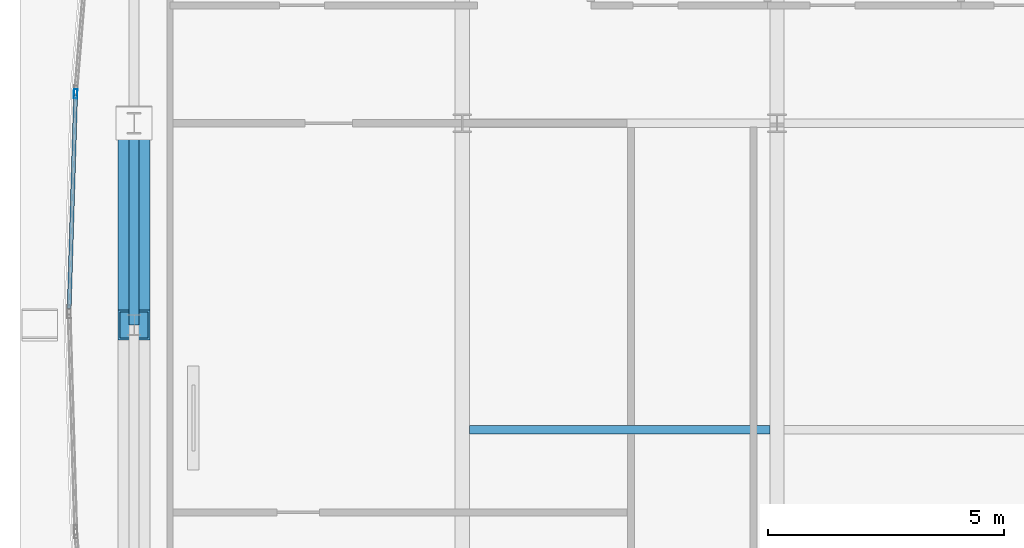
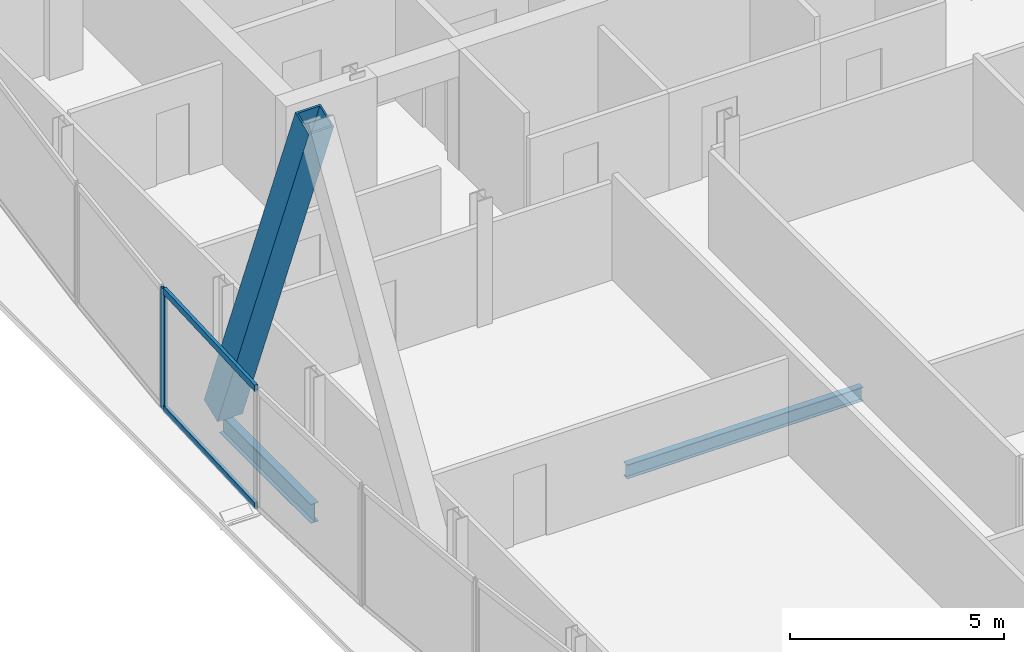
# One storey, part 9 of 28: 4 members, 2 beams, 1 element without a shape of its own.
"""IFC4 building model written with IfcOpenShell, lengths in metres."""

from ifc_helpers import new_model, si_unit, direction, frame, origin, origin_2d, place, context, subcontext, project, spatial, hollow_rectangle, i_section, extrude, material, material_profile, profile_set, type_object, element, aggregate, save


model = new_model("IFC4")

# Units and contexts
model_context = context("Model", 3, precision=1e-05, world=origin(), true_north=direction((0.0, 1.0)))
body_context = subcontext(model_context, "Body", "Model", "MODEL_VIEW")
ifc_project = project(units=[si_unit("LENGTHUNIT", "METRE"), si_unit("AREAUNIT", "SQUARE_METRE"), si_unit("VOLUMEUNIT", "CUBIC_METRE"), si_unit("PLANEANGLEUNIT", "RADIAN"), si_unit("MASSUNIT", "GRAM", prefix="KILO")], contexts=[model_context])

# Site, building, storey
site_placement = place(None, origin())
site = spatial("IfcSite", under=ifc_project, at=site_placement, CompositionType="ELEMENT")
building_placement = place(site_placement, origin())
building = spatial("IfcBuilding", under=site, at=building_placement, Name="Khoronbel Lancet Exchange", CompositionType="ELEMENT")
storey_placement = place(building_placement, frame((0.0, 0.0, 291.39990234375)))
storey = spatial("IfcBuildingStorey", under=building, at=storey_placement, Name="L75", CompositionType="ELEMENT", Elevation=291.39990234375)

# Beams
ifc_material_1 = material(Name="Steel S355", Category="steel")
ifc_material_profile_1 = material_profile(ifc_material_1, i_section(OverallWidth=0.179931640625, OverallDepth=0.39990234375, WebThickness=0.008544921875, FlangeThickness=0.013427734375, at=origin_2d()), Name="IPE 400")
ifc_profile_set_1 = profile_set([ifc_material_profile_1], Name="Steel S355")
beam_type_1 = type_object("IfcBeamType", Name="BM-BJ5", PredefinedType="JOIST", material=ifc_profile_set_1)
beam_1_placement = place(storey_placement, frame((18.375, 29.199951171875, -0.35986328125), z_axis=(1.0, 0.0, 0.0), x_axis=(0.0, 1.0, 0.0)))
element("IfcBeam", 1, at=beam_1_placement, inside=storey, type_object=beam_type_1, Name="Level L75 secondary composite joist J11", PredefinedType="JOIST", context=body_context, shape_type="SweptSolid", body=[
    extrude(i_section(OverallWidth=0.179931640625, OverallDepth=0.39990234375, WebThickness=0.008544921875, FlangeThickness=0.013427734375, at=origin_2d()), origin(), (0.0, 0.0, 1.0), 6.375),
])
ifc_material_profile_2 = material_profile(ifc_material_1, i_section(OverallWidth=0.2099609375, OverallDepth=0.550048828125, WebThickness=0.010986328125, FlangeThickness=0.01708984375, at=origin_2d()), Name="IPE 550")
ifc_profile_set_2 = profile_set([ifc_material_profile_2], Name="Steel S355")
beam_type_2 = type_object("IfcBeamType", Name="BM-BSP3", PredefinedType="SPANDREL", material=ifc_profile_set_2)
beam_2_placement = place(storey_placement, frame((11.27001953125, 35.699951171875, -0.434814453125), z_axis=(0.0, -1.0, 0.0), x_axis=(1.0, 0.0, 0.0)))
element("IfcBeam", 2, at=beam_2_placement, inside=storey, type_object=beam_type_2, Name="Level L75 perimeter spandrel beam SP16", PredefinedType="SPANDREL", context=body_context, shape_type="SweptSolid", body=[
    extrude(i_section(OverallWidth=0.2099609375, OverallDepth=0.550048828125, WebThickness=0.010986328125, FlangeThickness=0.01708984375, at=origin_2d()), origin(), (0.0, 0.0, 1.0), 4.27490234375),
])

# Curtain wall, members
ifc_material_2 = material(Name="Low-E Solar Control Insulating Glass", Category="glass")
curtain_wall_type = type_object("IfcCurtainWallType", Name="CW-4", PredefinedType="NOTDEFINED", material=ifc_material_2)
curtain_wall_placement = place(storey_placement, origin())
curtain_wall = element("IfcCurtainWall", 3, at=curtain_wall_placement, inside=storey, type_object=curtain_wall_type, Name="Unitised curtain wall CW-L75-E07", PredefinedType="NOTDEFINED")
ifc_material_3 = material(Name="Bronze-Anodised Aluminium 6063-T6", Category="aluminium")
ifc_material_profile_3 = material_profile(ifc_material_3, hollow_rectangle(XDim=0.074951171875, YDim=0.199951171875, WallThickness=0.0048828125, at=origin_2d()), Name="ALU MULLION 75x200")
ifc_profile_set_3 = profile_set([ifc_material_profile_3], Name="Bronze-Anodised Aluminium 6063-T6")
member_type_1 = type_object("IfcMemberType", Name="MEM-CWM2", PredefinedType="MULLION", material=ifc_profile_set_3)
member_1_placement = place(storey_placement, frame((10.029541015625, 36.32421875, 0.0), z_axis=(0.0, 0.0, 1.0), x_axis=(-0.999545457549, 0.030147608411, 0.0)))
member_1 = element("IfcMember", 4, at=member_1_placement, type_object=member_type_1, Name="CW4 mullion 2", PredefinedType="MULLION", context=body_context, shape_type="SweptSolid", body=[
    extrude(hollow_rectangle(XDim=0.074951171875, YDim=0.199951171875, WallThickness=0.0048828125, at=origin_2d()), origin(), (0.0, 0.0, 1.0), 3.440185546875),
])
ifc_material_profile_4 = material_profile(ifc_material_3, hollow_rectangle(XDim=0.0849609375, YDim=0.179931640625, WallThickness=0.0048828125, at=origin_2d()), Name="ALU TRANSOM 85x180")
ifc_profile_set_4 = profile_set([ifc_material_profile_4], Name="Bronze-Anodised Aluminium 6063-T6")
member_type_2 = type_object("IfcMemberType", Name="MEM-CWT1", PredefinedType="USERDEFINED", material=ifc_profile_set_4)
member_2_placement = place(storey_placement, frame((9.892333984375, 31.77490234375, 0.04248046875), z_axis=(0.030127011135, 0.999546078578, 0.0), x_axis=(-0.999546078578, 0.030127011135, 0.0)))
member_2 = element("IfcMember", 5, at=member_2_placement, type_object=member_type_2, Name="CW4 transom 1.1", ObjectType="TRANSOM", PredefinedType="USERDEFINED", context=body_context, shape_type="SweptSolid", body=[
    extrude(hollow_rectangle(XDim=0.0849609375, YDim=0.179931640625, WallThickness=0.0048828125, at=origin_2d()), origin(), (0.0, 0.0, 1.0), 4.513671875),
])
member_3_placement = place(storey_placement, frame((9.892333984375, 31.77490234375, 3.397705078125), z_axis=(0.030127011135, 0.999546078578, 0.0), x_axis=(-0.999546078578, 0.030127011135, 0.0)))
member_3 = element("IfcMember", 6, at=member_3_placement, type_object=member_type_2, Name="CW4 transom 1.2", ObjectType="TRANSOM", PredefinedType="USERDEFINED", context=body_context, shape_type="SweptSolid", body=[
    extrude(hollow_rectangle(XDim=0.0849609375, YDim=0.179931640625, WallThickness=0.0048828125, at=origin_2d()), origin(), (0.0, 0.0, 1.0), 4.513671875),
])
aggregate(curtain_wall, [member_1, member_2, member_3])

# Member
ifc_material_4 = material(Name="Steel S460", Category="steel")
ifc_material_profile_5 = material_profile(ifc_material_4, hollow_rectangle(XDim=0.679931640625, YDim=0.679931640625, WallThickness=0.044921875, at=origin_2d()), Name="BOX 680x680x45")
ifc_profile_set_5 = profile_set([ifc_material_profile_5], Name="Steel S460")
member_type_3 = type_object("IfcMemberType", Name="MEM-MB3", PredefinedType="BRACE", material=ifc_profile_set_5)
member_4_placement = place(storey_placement, frame((11.27001953125, 35.699951171875, 0.0), z_axis=(0.0, -0.368039743753, 0.929810059646), x_axis=(1.0, 0.0, 0.0)))
element("IfcMember", 7, at=member_4_placement, inside=storey, type_object=member_type_3, Name="Perimeter lancet brace tier 26 W-P-R", PredefinedType="BRACE", context=body_context, shape_type="SweptSolid", body=[
    extrude(hollow_rectangle(XDim=0.679931640625, YDim=0.679931640625, WallThickness=0.044921875, at=origin_2d()), origin(), (0.0, 0.0, 1.0), 11.615234375),
])

save(model, "model.ifc")
